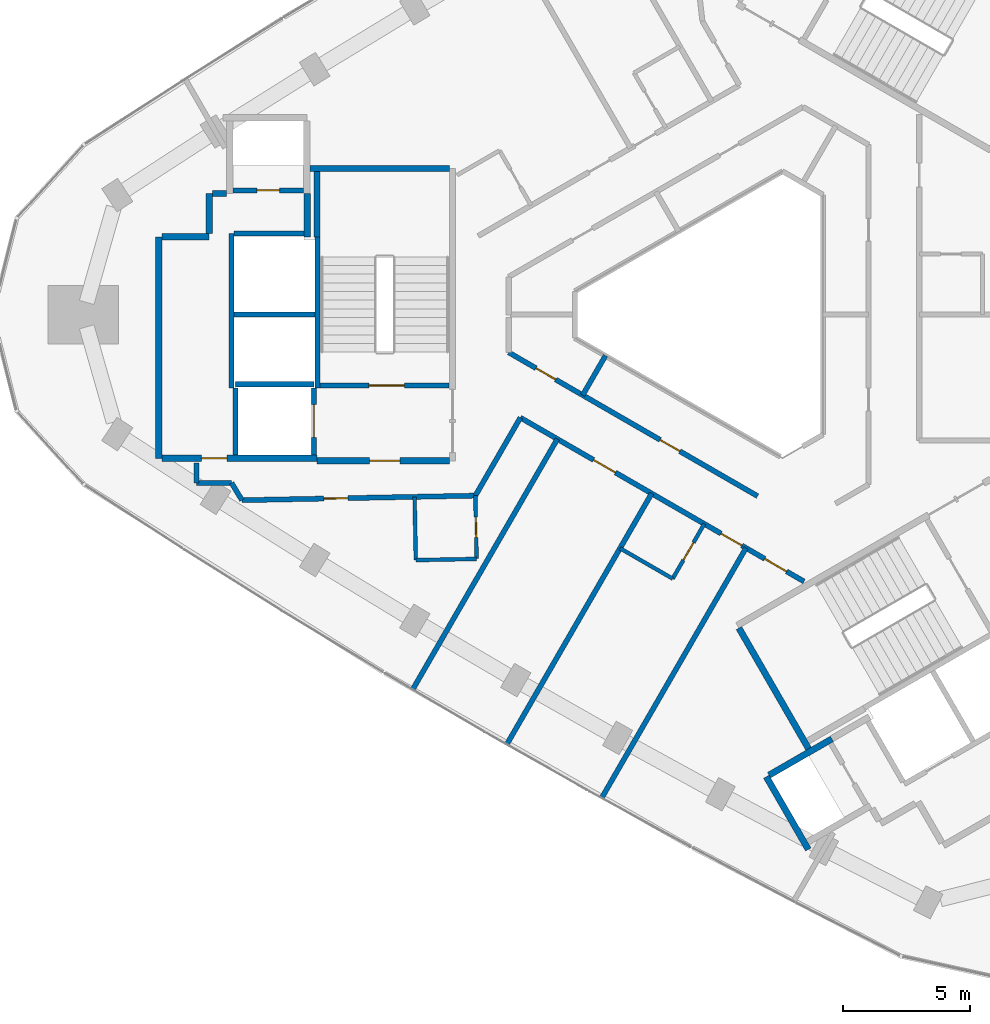
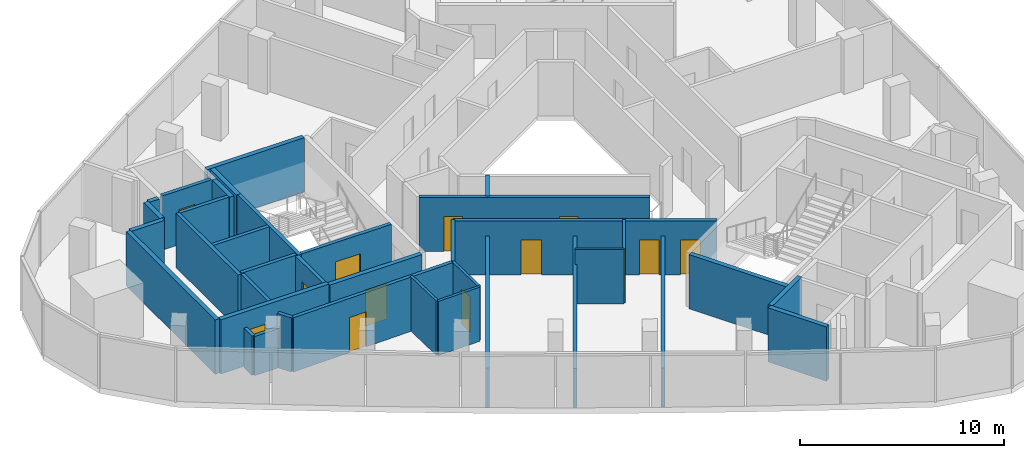
# One storey, part 7 of 11: 37 walls, 13 doors, 13 openings.
"""IFC4 building model written with IfcOpenShell, lengths in metres."""

from ifc_helpers import new_model, si_unit, direction, frame, frame_2d, origin, place, context, subcontext, project, spatial, rectangle, extrude, material, layer, layer_set, type_object, element, fill, save


model = new_model("IFC4")

# Units and contexts
model_context = context("Model", 3, precision=1e-05, world=origin(), true_north=direction((0.0, 1.0)))
body_context = subcontext(model_context, "Body", "Model", "MODEL_VIEW")
ifc_project = project(units=[si_unit("LENGTHUNIT", "METRE"), si_unit("AREAUNIT", "SQUARE_METRE"), si_unit("VOLUMEUNIT", "CUBIC_METRE"), si_unit("PLANEANGLEUNIT", "RADIAN"), si_unit("MASSUNIT", "GRAM", prefix="KILO")], contexts=[model_context])

# Site, building, storey
site_placement = place(None, origin())
site = spatial("IfcSite", under=ifc_project, at=site_placement, CompositionType="ELEMENT")
building_placement = place(site_placement, origin())
building = spatial("IfcBuilding", under=site, at=building_placement, Name="Tamra Quay Hotel Tower", CompositionType="ELEMENT")
storey_placement = place(building_placement, frame((0.0, 0.0, 235.800048828125)))
storey = spatial("IfcBuildingStorey", under=building, at=storey_placement, Name="L59", CompositionType="ELEMENT", Elevation=235.800048828125)

# Walls
ifc_material_1 = material(Name="Concrete M70", Category="concrete")
ifc_layer_1 = layer(ifc_material_1, 0.199951171875)
ifc_layer_set_1 = layer_set([ifc_layer_1], Name="Concrete M70 core wall 200")
wall_type_1 = type_object("IfcWallType", Name="Concrete M70 core wall 200", PredefinedType="SHEAR", material=ifc_layer_set_1)
wall_1_placement = place(storey_placement, frame((-16.162109375, 3.073974609375, 0.0), z_axis=(0.0, 0.0, 1.0), x_axis=(0.0, -1.0, 0.0)))
element("IfcWall", 1, at=wall_1_placement, inside=storey, type_object=wall_type_1, Name="CW2", PredefinedType="SHEAR", context=body_context, shape_type="SweptSolid", body=[
    extrude(rectangle(XDim=5.97412109375, YDim=0.199951171875, at=frame_2d((2.987060546875, 0.0))), origin(), (0.0, 0.0, 1.0), 3.25),
])
wall_2_placement = place(storey_placement, frame((-19.5625, -2.900146484375, 0.0), z_axis=(0.0, 0.0, 1.0), x_axis=(0.0, 1.0, 0.0)))
element("IfcWall", 2, at=wall_2_placement, inside=storey, type_object=wall_type_1, Name="CW2", PredefinedType="SHEAR", context=body_context, shape_type="SweptSolid", body=[
    extrude(rectangle(XDim=6.100341796875, YDim=0.199951171875, at=frame_2d((3.05029296875, 0.0))), origin(), (0.0, 0.0, 1.0), 3.25),
])

# Wall, opening, door
wall_3_placement = place(storey_placement, frame((-10.96337890625, -2.800048828125, 0.0), z_axis=(0.0, 0.0, 1.0), x_axis=(-1.0, 0.0, 0.0)))
wall_3 = element("IfcWall", 3, at=wall_3_placement, inside=storey, type_object=wall_type_1, Name="CW2", PredefinedType="SHEAR", context=body_context, shape_type="SweptSolid", body=[
    extrude(rectangle(XDim=5.097900390625, YDim=0.199951171875, at=frame_2d((2.548828125, 0.0))), origin(), (0.0, 0.0, 1.0), 3.25),
])
opening_1_placement = place(wall_3_placement, frame((1.77392578125, 0.0, 0.0)))
opening_1 = element("IfcOpeningElement", 4, at=opening_1_placement, cuts=wall_3, Name="Opening FD2", PredefinedType="OPENING", context=body_context, shape_type="SweptSolid", body=[
    extrude(rectangle(XDim=1.39990234375, YDim=2.10009765625, at=frame_2d((0.699951171875, 1.050048828125))), frame((0.0, 0.10986328125, 0.0), z_axis=(0.0, -1.0, 0.0), x_axis=(1.0, 0.0, 0.0)), (0.0, 0.0, 1.0), 0.219970703125),
])
ifc_material_2 = material(Name="Core door FD2 1400x2100 LH")
door_type_1 = type_object("IfcDoorType", Name="Core door FD2 1400x2100 LH", OperationType="NOTDEFINED", PredefinedType="DOOR", material=ifc_material_2)
door_1_placement = place(opening_1_placement, origin())
door_1 = element("IfcDoor", 5, at=door_1_placement, inside=storey, type_object=door_type_1, Name="FD2", OperationType="SINGLE_SWING_LEFT", OverallHeight=2.10009765625, OverallWidth=1.39990234375, PredefinedType="DOOR", context=body_context, shape_type="SweptSolid", body=[
    extrude(rectangle(XDim=1.39990234375, YDim=2.10009765625, at=frame_2d((0.699951171875, 1.050048828125))), frame((0.0, 0.02490234375, 0.0), z_axis=(0.0, -1.0, 0.0), x_axis=(1.0, 0.0, 0.0)), (0.0, 0.0, 1.0), 0.050048828125),
])
fill(opening_1, door_1)

# Wall
wall_4_placement = place(storey_placement, frame((-16.26318359375, 0.0, 0.0), z_axis=(0.0, 0.0, 1.0), x_axis=(-1.0, 0.0, 0.0)))
element("IfcWall", 6, at=wall_4_placement, inside=storey, type_object=wall_type_1, Name="CW2", PredefinedType="SHEAR", context=body_context, shape_type="SweptSolid", body=[
    extrude(rectangle(XDim=3.1982421875, YDim=0.199951171875, at=frame_2d((1.59912109375, 0.0))), origin(), (0.0, 0.0, 1.0), 3.25),
])

# Wall, opening, door
wall_5_placement = place(storey_placement, frame((-19.51123046875, 4.91015625, 0.0), z_axis=(0.0, 0.0, 1.0), x_axis=(1.0, 0.0, 0.0)))
wall_5 = element("IfcWall", 7, at=wall_5_placement, inside=storey, type_object=wall_type_1, Name="CW2", PredefinedType="SHEAR", context=body_context, shape_type="SweptSolid", body=[
    extrude(rectangle(XDim=2.7978515625, YDim=0.199951171875, at=frame_2d((1.39892578125, 0.0))), origin(), (0.0, 0.0, 1.0), 3.25),
])
opening_2_placement = place(wall_5_placement, frame((0.948974609375, 0.0, 0.0)))
opening_2 = element("IfcOpeningElement", 8, at=opening_2_placement, cuts=wall_5, Name="Opening D1", PredefinedType="OPENING", context=body_context, shape_type="SweptSolid", body=[
    extrude(rectangle(XDim=0.89990234375, YDim=2.10009765625, at=frame_2d((0.449951171875, 1.050048828125))), frame((0.0, 0.10986328125, 0.0), z_axis=(0.0, -1.0, 0.0), x_axis=(1.0, 0.0, 0.0)), (0.0, 0.0, 1.0), 0.219970703125),
])
ifc_material_3 = material(Name="Core door D1 900x2100 RH")
door_type_2 = type_object("IfcDoorType", Name="Core door D1 900x2100 RH", OperationType="NOTDEFINED", PredefinedType="DOOR", material=ifc_material_3)
door_2_placement = place(opening_2_placement, origin())
door_2 = element("IfcDoor", 9, at=door_2_placement, inside=storey, type_object=door_type_2, Name="D1", OperationType="SINGLE_SWING_RIGHT", OverallHeight=2.10009765625, OverallWidth=0.89990234375, PredefinedType="DOOR", context=body_context, shape_type="SweptSolid", body=[
    extrude(rectangle(XDim=0.89990234375, YDim=2.10009765625, at=frame_2d((0.449951171875, 1.050048828125))), frame((0.0, 0.02490234375, 0.0), z_axis=(0.0, -1.0, 0.0), x_axis=(1.0, 0.0, 0.0)), (0.0, 0.0, 1.0), 0.050048828125),
])
fill(opening_2, door_2)

# Walls
wall_6_placement = place(storey_placement, frame((-19.46240234375, 3.2001953125, 0.0), z_axis=(0.0, 0.0, 1.0), x_axis=(1.0, 0.0, 0.0)))
element("IfcWall", 10, at=wall_6_placement, inside=storey, type_object=wall_type_1, Name="CW2", PredefinedType="SHEAR", context=body_context, shape_type="SweptSolid", body=[
    extrude(rectangle(XDim=2.759033203125, YDim=0.199951171875, at=frame_2d((1.37939453125, 0.0))), origin(), (0.0, 0.0, 1.0), 3.25),
])
wall_7_placement = place(storey_placement, frame((-19.412353515625, -2.75, 0.0), z_axis=(0.0, 0.0, 1.0), x_axis=(1.0, 0.0, 0.0)))
element("IfcWall", 11, at=wall_7_placement, inside=storey, type_object=wall_type_1, Name="CW2", PredefinedType="SHEAR", context=body_context, shape_type="SweptSolid", body=[
    extrude(rectangle(XDim=3.10009765625, YDim=0.199951171875, at=frame_2d((1.550048828125, 0.0))), origin(), (0.0, 0.0, 1.0), 3.25),
])

# Wall, opening, door
wall_8_placement = place(storey_placement, frame((-16.312255859375, -2.898193359375, 0.0), z_axis=(0.0, 0.0, 1.0), x_axis=(0.0, -1.0, 0.0)))
wall_8 = element("IfcWall", 12, at=wall_8_placement, inside=storey, type_object=wall_type_1, Name="CW2", PredefinedType="SHEAR", context=body_context, shape_type="SweptSolid", body=[
    extrude(rectangle(XDim=2.65087890625, YDim=0.199951171875, at=frame_2d((1.325439453125, 0.0))), origin(), (0.0, 0.0, 1.0), 3.25),
])
opening_3_placement = place(wall_8_placement, frame((0.65185546875, 0.0, 0.0)))
opening_3 = element("IfcOpeningElement", 13, at=opening_3_placement, cuts=wall_8, Name="Opening LD", PredefinedType="OPENING", context=body_context, shape_type="SweptSolid", body=[
    extrude(rectangle(XDim=1.300048828125, YDim=2.10009765625, at=frame_2d((0.64990234375, 1.050048828125))), frame((0.0, 0.10986328125, 0.0), z_axis=(0.0, -1.0, 0.0), x_axis=(1.0, 0.0, 0.0)), (0.0, 0.0, 1.0), 0.219970703125),
])
ifc_material_4 = material(Name="Landing door LD 1300 sliding to left")
door_type_3 = type_object("IfcDoorType", Name="Landing door LD 1300 sliding to left", OperationType="NOTDEFINED", PredefinedType="DOOR", material=ifc_material_4)
door_3_placement = place(opening_3_placement, origin())
door_3 = element("IfcDoor", 14, at=door_3_placement, inside=storey, type_object=door_type_3, Name="LD", OperationType="SLIDING_TO_LEFT", OverallHeight=2.10009765625, OverallWidth=1.300048828125, PredefinedType="DOOR", context=body_context, shape_type="SweptSolid", body=[
    extrude(rectangle(XDim=1.300048828125, YDim=2.10009765625, at=frame_2d((0.64990234375, 1.050048828125))), frame((0.0, 0.02490234375, 0.0), z_axis=(0.0, -1.0, 0.0), x_axis=(1.0, 0.0, 0.0)), (0.0, 0.0, 1.0), 0.050048828125),
])
fill(opening_3, door_3)

# Walls
wall_9_placement = place(storey_placement, frame((-19.412353515625, -5.549072265625, 0.0), z_axis=(0.0, 0.0, 1.0), x_axis=(0.0, 1.0, 0.0)))
element("IfcWall", 15, at=wall_9_placement, inside=storey, type_object=wall_type_1, Name="CW2", PredefinedType="SHEAR", context=body_context, shape_type="SweptSolid", body=[
    extrude(rectangle(XDim=2.65087890625, YDim=0.199951171875, at=frame_2d((1.325439453125, 0.0))), origin(), (0.0, 0.0, 1.0), 3.25),
])
ifc_layer_2 = layer(ifc_material_1, 0.25)
ifc_layer_set_2 = layer_set([ifc_layer_2], Name="Concrete M70 core wall 250")
wall_type_2 = type_object("IfcWallType", Name="Concrete M70 core wall 250", PredefinedType="SHEAR", material=ifc_layer_set_2)
wall_10_placement = place(storey_placement, frame((-22.437255859375, -5.675048828125, 0.0), z_axis=(0.0, 0.0, 1.0), x_axis=(0.0, 1.0, 0.0)))
element("IfcWall", 16, at=wall_10_placement, inside=storey, type_object=wall_type_2, Name="CW1", PredefinedType="SHEAR", context=body_context, shape_type="SweptSolid", body=[
    extrude(rectangle(XDim=8.75, YDim=0.25, at=frame_2d((4.375, 0.0))), origin(), (0.0, 0.0, 1.0), 3.25),
])

# Wall, opening, door
wall_11_placement = place(storey_placement, frame((-16.187255859375, -5.675048828125, 0.0), z_axis=(0.0, 0.0, 1.0), x_axis=(-1.0, 0.0, 0.0)))
wall_11 = element("IfcWall", 17, at=wall_11_placement, inside=storey, type_object=wall_type_2, Name="CW1", PredefinedType="SHEAR", context=body_context, shape_type="SweptSolid", body=[
    extrude(rectangle(XDim=6.12451171875, YDim=0.25, at=frame_2d((3.062255859375, 0.0))), origin(), (0.0, 0.0, 1.0), 3.25),
])
opening_4_placement = place(wall_11_placement, frame((3.562744140625, 0.0, 0.0)))
opening_4 = element("IfcOpeningElement", 18, at=opening_4_placement, cuts=wall_11, Name="Opening FD3", PredefinedType="OPENING", context=body_context, shape_type="SweptSolid", body=[
    extrude(rectangle(XDim=1.0, YDim=2.10009765625, at=frame_2d((0.5, 1.050048828125))), frame((0.0, 0.135009765625, 0.0), z_axis=(0.0, -1.0, 0.0), x_axis=(1.0, 0.0, 0.0)), (0.0, 0.0, 1.0), 0.27001953125),
])
ifc_material_5 = material(Name="Core door FD3 1000x2100 LH")
door_type_4 = type_object("IfcDoorType", Name="Core door FD3 1000x2100 LH", OperationType="NOTDEFINED", PredefinedType="DOOR", material=ifc_material_5)
door_4_placement = place(opening_4_placement, origin())
door_4 = element("IfcDoor", 19, at=door_4_placement, inside=storey, type_object=door_type_4, Name="FD3", OperationType="SINGLE_SWING_LEFT", OverallHeight=2.10009765625, OverallWidth=1.0, PredefinedType="DOOR", context=body_context, shape_type="SweptSolid", body=[
    extrude(rectangle(XDim=1.0, YDim=2.10009765625, at=frame_2d((0.5, 1.050048828125))), frame((0.0, 0.02490234375, 0.0), z_axis=(0.0, -1.0, 0.0), x_axis=(1.0, 0.0, 0.0)), (0.0, 0.0, 1.0), 0.050048828125),
])
fill(opening_4, door_4)

wall_12_placement = place(storey_placement, frame((-10.962646484375, -5.77490234375, 0.0), z_axis=(0.0, 0.0, 1.0), x_axis=(-1.0, 0.0, 0.0)))
wall_12 = element("IfcWall", 20, at=wall_12_placement, inside=storey, type_object=wall_type_2, Name="CW1", PredefinedType="SHEAR", context=body_context, shape_type="SweptSolid", body=[
    extrude(rectangle(XDim=5.224609375, YDim=0.25, at=frame_2d((2.6123046875, 0.0))), origin(), (0.0, 0.0, 1.0), 3.25),
])
opening_5_placement = place(wall_12_placement, frame((1.94970703125, 0.0, 0.0)))
opening_5 = element("IfcOpeningElement", 21, at=opening_5_placement, cuts=wall_12, Name="Opening D2", PredefinedType="OPENING", context=body_context, shape_type="SweptSolid", body=[
    extrude(rectangle(XDim=1.199951171875, YDim=2.10009765625, at=frame_2d((0.60009765625, 1.050048828125))), frame((0.0, 0.135009765625, 0.0), z_axis=(0.0, -1.0, 0.0), x_axis=(1.0, 0.0, 0.0)), (0.0, 0.0, 1.0), 0.27001953125),
])
ifc_material_6 = material(Name="Core door D2 1200x2100 RH")
door_type_5 = type_object("IfcDoorType", Name="Core door D2 1200x2100 RH", OperationType="NOTDEFINED", PredefinedType="DOOR", material=ifc_material_6)
door_5_placement = place(opening_5_placement, origin())
door_5 = element("IfcDoor", 22, at=door_5_placement, inside=storey, type_object=door_type_5, Name="D2", OperationType="SINGLE_SWING_RIGHT", OverallHeight=2.10009765625, OverallWidth=1.199951171875, PredefinedType="DOOR", context=body_context, shape_type="SweptSolid", body=[
    extrude(rectangle(XDim=1.199951171875, YDim=2.10009765625, at=frame_2d((0.60009765625, 1.050048828125))), frame((0.0, 0.02490234375, 0.0), z_axis=(0.0, -1.0, 0.0), x_axis=(1.0, 0.0, 0.0)), (0.0, 0.0, 1.0), 0.050048828125),
])
fill(opening_5, door_5)

# Walls
wall_13_placement = place(storey_placement, frame((-16.47216796875, 5.77490234375, 0.0), z_axis=(0.0, 0.0, 1.0), x_axis=(1.0, 0.0, 0.0)))
element("IfcWall", 23, at=wall_13_placement, inside=storey, type_object=wall_type_2, Name="CW1", PredefinedType="SHEAR", context=body_context, shape_type="SweptSolid", body=[
    extrude(rectangle(XDim=5.509521484375, YDim=0.25, at=frame_2d((2.7548828125, 0.0))), origin(), (0.0, 0.0, 1.0), 3.25),
])
wall_14_placement = place(storey_placement, frame((-16.187255859375, 3.074951171875, 0.0), z_axis=(0.0, 0.0, 1.0), x_axis=(0.0, 1.0, 0.0)))
element("IfcWall", 24, at=wall_14_placement, inside=storey, type_object=wall_type_2, Name="CW1", PredefinedType="SHEAR", context=body_context, shape_type="SweptSolid", body=[
    extrude(rectangle(XDim=2.57470703125, YDim=0.25, at=frame_2d((1.287353515625, 0.0))), origin(), (0.0, 0.0, 1.0), 3.25),
])
wall_15_placement = place(storey_placement, frame((-22.311767578125, 3.074951171875, 0.0), z_axis=(0.0, 0.0, 1.0), x_axis=(1.0, 0.0, 0.0)))
element("IfcWall", 25, at=wall_15_placement, inside=storey, type_object=wall_type_2, Name="CW1", PredefinedType="SHEAR", context=body_context, shape_type="SweptSolid", body=[
    extrude(rectangle(XDim=1.864501953125, YDim=0.25, at=frame_2d((0.93212890625, 0.0))), origin(), (0.0, 0.0, 1.0), 3.25),
])
wall_16_placement = place(storey_placement, frame((-16.577392578125, 4.784912109375, 0.0), z_axis=(0.0, 0.0, 1.0), x_axis=(0.0, -1.0, 0.0)))
element("IfcWall", 26, at=wall_16_placement, inside=storey, type_object=wall_type_2, Name="CW1", PredefinedType="SHEAR", context=body_context, shape_type="SweptSolid", body=[
    extrude(rectangle(XDim=1.7099609375, YDim=0.25, at=frame_2d((0.85498046875, 0.0))), origin(), (0.0, 0.0, 1.0), 3.25),
])
wall_17_placement = place(storey_placement, frame((-20.447265625, 3.200439453125, 0.0), z_axis=(0.0, 0.0, 1.0), x_axis=(0.0, 1.0, 0.0)))
element("IfcWall", 27, at=wall_17_placement, inside=storey, type_object=wall_type_2, Name="CW1", PredefinedType="SHEAR", context=body_context, shape_type="SweptSolid", body=[
    extrude(rectangle(XDim=1.58447265625, YDim=0.25, at=frame_2d((0.792236328125, 0.0))), origin(), (0.0, 0.0, 1.0), 3.25),
])
wall_18_placement = place(storey_placement, frame((-20.32177734375, 4.784912109375, 0.0), z_axis=(0.0, 0.0, 1.0), x_axis=(1.0, 0.0, 0.0)))
element("IfcWall", 28, at=wall_18_placement, inside=storey, type_object=wall_type_2, Name="CW1", PredefinedType="SHEAR", context=body_context, shape_type="SweptSolid", body=[
    extrude(rectangle(XDim=0.55908203125, YDim=0.25, at=frame_2d((0.279541015625, 0.0))), origin(), (0.0, 0.0, 1.0), 3.25),
])
wall_19_placement = place(storey_placement, frame((3.23486328125, -17.15283203125, 0.0), z_axis=(0.0, 0.0, 1.0), x_axis=(-0.500008851346, 0.866020293397, 0.0)))
element("IfcWall", 29, at=wall_19_placement, inside=storey, type_object=wall_type_2, Name="CW1", PredefinedType="SHEAR", context=body_context, shape_type="SweptSolid", body=[
    extrude(rectangle(XDim=5.509765625, YDim=0.25, at=frame_2d((2.7548828125, 0.0))), origin(), (0.0, 0.0, 1.0), 3.25),
])
wall_20_placement = place(storey_placement, frame((3.216796875, -21.12158203125, 0.0), z_axis=(0.0, 0.0, 1.0), x_axis=(-0.499998874531, 0.866026053573, 0.0)))
element("IfcWall", 30, at=wall_20_placement, inside=storey, type_object=wall_type_2, Name="CW1", PredefinedType="SHEAR", context=body_context, shape_type="SweptSolid", body=[
    extrude(rectangle(XDim=3.31298828125, YDim=0.25, at=frame_2d((1.656494140625, 0.0))), origin(), (0.0, 0.0, 1.0), 3.25),
])
wall_21_placement = place(storey_placement, frame((1.6689453125, -18.189697265625, 0.0), z_axis=(0.0, 0.0, 1.0), x_axis=(0.866042235819, 0.499970844928, 0.0)))
element("IfcWall", 31, at=wall_21_placement, inside=storey, type_object=wall_type_2, Name="CW1", PredefinedType="SHEAR", context=body_context, shape_type="SweptSolid", body=[
    extrude(rectangle(XDim=2.864501953125, YDim=0.25, at=frame_2d((1.43212890625, 0.0))), origin(), (0.0, 0.0, 1.0), 3.25),
])
ifc_material_7 = material(Name="Partition corridor wall")
ifc_layer_3 = layer(ifc_material_7, 0.199951171875)
ifc_layer_set_3 = layer_set([ifc_layer_3], Name="Partition corridor wall")
wall_type_3 = type_object("IfcWallType", Name="Partition corridor wall", PredefinedType="PARTITIONING", material=ifc_layer_set_3)
wall_22_placement = place(storey_placement, frame((-20.949951171875, -6.64990234375, 0.0), z_axis=(0.0, 0.0, 1.0), x_axis=(0.0, 1.0, 0.0)))
element("IfcWall", 32, at=wall_22_placement, inside=storey, type_object=wall_type_3, Name="W-C", PredefinedType="PARTITIONING", context=body_context, shape_type="SweptSolid", body=[
    extrude(rectangle(XDim=0.789794921875, YDim=0.199951171875, at=frame_2d((0.39501953125, 0.0))), origin(), (0.0, 0.0, 1.0), 2.349853515625),
])
wall_23_placement = place(storey_placement, frame((-20.949951171875, -6.64990234375, 0.0), z_axis=(0.0, 0.0, 1.0), x_axis=(1.0, 0.0, 0.0)))
element("IfcWall", 33, at=wall_23_placement, inside=storey, type_object=wall_type_3, Name="W-C", PredefinedType="PARTITIONING", context=body_context, shape_type="SweptSolid", body=[
    extrude(rectangle(XDim=1.389892578125, YDim=0.199951171875, at=frame_2d((0.69482421875, 0.0))), origin(), (0.0, 0.0, 1.0), 2.349853515625),
])
wall_24_placement = place(storey_placement, frame((-19.56005859375, -6.64990234375, 0.0), z_axis=(0.0, 0.0, 1.0), x_axis=(0.517618709346, -0.855611402294, 0.0)))
element("IfcWall", 34, at=wall_24_placement, inside=storey, type_object=wall_type_3, Name="W-C", PredefinedType="PARTITIONING", context=body_context, shape_type="SweptSolid", body=[
    extrude(rectangle(XDim=0.79248046875, YDim=0.199951171875, at=frame_2d((0.396240234375, 0.0))), origin(), (0.0, 0.0, 1.0), 3.25),
])

# Wall, opening, door
wall_25_placement = place(storey_placement, frame((-19.14892578125, -7.3291015625, 0.0), z_axis=(0.0, 0.0, 1.0), x_axis=(0.999810023919, 0.019491435849, 0.0)))
wall_25 = element("IfcWall", 35, at=wall_25_placement, inside=storey, type_object=wall_type_3, Name="W-C", PredefinedType="PARTITIONING", context=body_context, shape_type="SweptSolid", body=[
    extrude(rectangle(XDim=9.21875, YDim=0.199951171875, at=frame_2d((4.609375, 0.0))), origin(), (0.0, 0.0, 1.0), 3.25),
])
opening_6_placement = place(wall_25_placement, frame((3.230224609375, 0.0, 0.0)))
opening_6 = element("IfcOpeningElement", 36, at=opening_6_placement, cuts=wall_25, Name="Opening L59-D007", PredefinedType="OPENING", context=body_context, shape_type="SweptSolid", body=[
    extrude(rectangle(XDim=0.949951171875, YDim=2.10009765625, at=frame_2d((0.47509765625, 1.050048828125))), frame((0.0, 0.10986328125, 0.0), z_axis=(0.0, -1.0, 0.0), x_axis=(1.0, 0.0, 0.0)), (0.0, 0.0, 1.0), 0.219970703125),
])
ifc_material_8 = material(Name="Door guest room 950x2100")
door_type_6 = type_object("IfcDoorType", Name="Door guest room 950x2100", OperationType="NOTDEFINED", PredefinedType="DOOR", material=ifc_material_8)
door_6_placement = place(opening_6_placement, origin())
door_6 = element("IfcDoor", 37, at=door_6_placement, inside=storey, type_object=door_type_6, Name="L59-D007", OperationType="SINGLE_SWING_LEFT", OverallHeight=2.10009765625, OverallWidth=0.949951171875, PredefinedType="DOOR", context=body_context, shape_type="SweptSolid", body=[
    extrude(rectangle(XDim=0.949951171875, YDim=2.10009765625, at=frame_2d((0.47509765625, 1.050048828125))), frame((0.0, 0.02490234375, 0.0), z_axis=(0.0, -1.0, 0.0), x_axis=(1.0, 0.0, 0.0)), (0.0, 0.0, 1.0), 0.050048828125),
])
fill(opening_6, door_6)

# Wall
wall_26_placement = place(storey_placement, frame((-9.930908203125, -7.14892578125, 0.0), z_axis=(0.0, 0.0, 1.0), x_axis=(0.499934418432, 0.86606326401, 0.0)))
element("IfcWall", 38, at=wall_26_placement, inside=storey, type_object=wall_type_3, Name="W-C", PredefinedType="PARTITIONING", context=body_context, shape_type="SweptSolid", body=[
    extrude(rectangle(XDim=3.55615234375, YDim=0.199951171875, at=frame_2d((1.778076171875, 0.0))), origin(), (0.0, 0.0, 1.0), 3.25),
])

# Wall, openings, doors
wall_27_placement = place(storey_placement, frame((-8.612060546875, -1.493896484375, 0.0), z_axis=(0.0, 0.0, 1.0), x_axis=(0.866035468681, -0.499982566683, 0.0)))
wall_27 = element("IfcWall", 39, at=wall_27_placement, inside=storey, type_object=wall_type_3, Name="W-C", PredefinedType="PARTITIONING", context=body_context, shape_type="SweptSolid", body=[
    extrude(rectangle(XDim=11.34765625, YDim=0.199951171875, at=frame_2d((5.673828125, 0.0))), origin(), (0.0, 0.0, 1.0), 3.25),
])
opening_7_placement = place(wall_27_placement, frame((1.240966796875, 0.0, 0.0)))
opening_7 = element("IfcOpeningElement", 40, at=opening_7_placement, cuts=wall_27, Name="Opening L59-D021", PredefinedType="OPENING", context=body_context, shape_type="SweptSolid", body=[
    extrude(rectangle(XDim=0.89990234375, YDim=2.10009765625, at=frame_2d((0.449951171875, 1.050048828125))), frame((0.0, 0.10986328125, 0.0), z_axis=(0.0, -1.0, 0.0), x_axis=(1.0, 0.0, 0.0)), (0.0, 0.0, 1.0), 0.219970703125),
])
opening_8_placement = place(wall_27_placement, frame((6.903076171875, 0.0, 0.0)))
opening_8 = element("IfcOpeningElement", 41, at=opening_8_placement, cuts=wall_27, Name="Opening L59-D022", PredefinedType="OPENING", context=body_context, shape_type="SweptSolid", body=[
    extrude(rectangle(XDim=0.89990234375, YDim=2.10009765625, at=frame_2d((0.449951171875, 1.050048828125))), frame((0.0, 0.10986328125, 0.0), z_axis=(0.0, -1.0, 0.0), x_axis=(1.0, 0.0, 0.0)), (0.0, 0.0, 1.0), 0.219970703125),
])
ifc_material_9 = material(Name="Door service room 900x2100")
door_type_7 = type_object("IfcDoorType", Name="Door service room 900x2100", OperationType="NOTDEFINED", PredefinedType="DOOR", material=ifc_material_9)
door_7_placement = place(opening_7_placement, origin())
door_7 = element("IfcDoor", 42, at=door_7_placement, inside=storey, type_object=door_type_7, Name="L59-D021", OperationType="SINGLE_SWING_LEFT", OverallHeight=2.10009765625, OverallWidth=0.89990234375, PredefinedType="DOOR", context=body_context, shape_type="SweptSolid", body=[
    extrude(rectangle(XDim=0.89990234375, YDim=2.10009765625, at=frame_2d((0.449951171875, 1.050048828125))), frame((0.0, 0.02490234375, 0.0), z_axis=(0.0, -1.0, 0.0), x_axis=(1.0, 0.0, 0.0)), (0.0, 0.0, 1.0), 0.050048828125),
])
fill(opening_7, door_7)
door_8_placement = place(opening_8_placement, origin())
door_8 = element("IfcDoor", 43, at=door_8_placement, inside=storey, type_object=door_type_7, Name="L59-D022", OperationType="SINGLE_SWING_LEFT", OverallHeight=2.10009765625, OverallWidth=0.89990234375, PredefinedType="DOOR", context=body_context, shape_type="SweptSolid", body=[
    extrude(rectangle(XDim=0.89990234375, YDim=2.10009765625, at=frame_2d((0.449951171875, 1.050048828125))), frame((0.0, 0.02490234375, 0.0), z_axis=(0.0, -1.0, 0.0), x_axis=(1.0, 0.0, 0.0)), (0.0, 0.0, 1.0), 0.050048828125),
])
fill(opening_8, door_8)

wall_28_placement = place(storey_placement, frame((-8.153076171875, -4.069091796875, 0.0), z_axis=(0.0, 0.0, 1.0), x_axis=(0.865955522833, -0.500121017829, 0.0)))
wall_28 = element("IfcWall", 44, at=wall_28_placement, inside=storey, type_object=wall_type_3, Name="W-C", PredefinedType="PARTITIONING", context=body_context, shape_type="SweptSolid", body=[
    extrude(rectangle(XDim=12.937255859375, YDim=0.199951171875, at=frame_2d((6.46875, 0.0))), origin(), (0.0, 0.0, 1.0), 3.25),
])
opening_9_placement = place(wall_28_placement, frame((3.337158203125, 0.0, 0.0)))
opening_9 = element("IfcOpeningElement", 45, at=opening_9_placement, cuts=wall_28, Name="Opening L59-D009", PredefinedType="OPENING", context=body_context, shape_type="SweptSolid", body=[
    extrude(rectangle(XDim=1.0, YDim=2.10009765625, at=frame_2d((0.5, 1.050048828125))), frame((0.0, 0.10986328125, 0.0), z_axis=(0.0, -1.0, 0.0), x_axis=(1.0, 0.0, 0.0)), (0.0, 0.0, 1.0), 0.219970703125),
])
opening_10_placement = place(wall_28_placement, frame((9.153076171875, 0.0, 0.0)))
opening_10 = element("IfcOpeningElement", 46, at=opening_10_placement, cuts=wall_28, Name="Opening L59-D010", PredefinedType="OPENING", context=body_context, shape_type="SweptSolid", body=[
    extrude(rectangle(XDim=0.949951171875, YDim=2.10009765625, at=frame_2d((0.47509765625, 1.050048828125))), frame((0.0, 0.10986328125, 0.0), z_axis=(0.0, -1.0, 0.0), x_axis=(1.0, 0.0, 0.0)), (0.0, 0.0, 1.0), 0.219970703125),
])
opening_11_placement = place(wall_28_placement, frame((11.1435546875, 0.0, 0.0)))
opening_11 = element("IfcOpeningElement", 47, at=opening_11_placement, cuts=wall_28, Name="Opening L59-D012", PredefinedType="OPENING", context=body_context, shape_type="SweptSolid", body=[
    extrude(rectangle(XDim=1.0, YDim=2.10009765625, at=frame_2d((0.5, 1.050048828125))), frame((0.0, 0.10986328125, 0.0), z_axis=(0.0, -1.0, 0.0), x_axis=(1.0, 0.0, 0.0)), (0.0, 0.0, 1.0), 0.219970703125),
])
ifc_material_10 = material(Name="Door guest room 1000x2100")
door_type_8 = type_object("IfcDoorType", Name="Door guest room 1000x2100", OperationType="NOTDEFINED", PredefinedType="DOOR", material=ifc_material_10)
door_9_placement = place(opening_9_placement, frame((1.0, 0.0, 0.0), z_axis=(0.0, 0.0, 1.0), x_axis=(-1.0, 0.0, 0.0)))
door_9 = element("IfcDoor", 48, at=door_9_placement, inside=storey, type_object=door_type_8, Name="L59-D009", OperationType="SINGLE_SWING_LEFT", OverallHeight=2.10009765625, OverallWidth=1.0, PredefinedType="DOOR", context=body_context, shape_type="SweptSolid", body=[
    extrude(rectangle(XDim=1.0, YDim=2.10009765625, at=frame_2d((0.5, 1.050048828125))), frame((0.0, 0.02490234375, 0.0), z_axis=(0.0, -1.0, 0.0), x_axis=(1.0, 0.0, 0.0)), (0.0, 0.0, 1.0), 0.050048828125),
])
fill(opening_9, door_9)
door_10_placement = place(opening_11_placement, frame((1.0, 0.0, 0.0), z_axis=(0.0, 0.0, 1.0), x_axis=(-1.0, 0.0, 0.0)))
door_10 = element("IfcDoor", 49, at=door_10_placement, inside=storey, type_object=door_type_8, Name="L59-D012", OperationType="SINGLE_SWING_LEFT", OverallHeight=2.10009765625, OverallWidth=1.0, PredefinedType="DOOR", context=body_context, shape_type="SweptSolid", body=[
    extrude(rectangle(XDim=1.0, YDim=2.10009765625, at=frame_2d((0.5, 1.050048828125))), frame((0.0, 0.02490234375, 0.0), z_axis=(0.0, -1.0, 0.0), x_axis=(1.0, 0.0, 0.0)), (0.0, 0.0, 1.0), 0.050048828125),
])
fill(opening_11, door_10)
door_11_placement = place(opening_10_placement, frame((0.949951171875, 0.0, 0.0), z_axis=(0.0, 0.0, 1.0), x_axis=(-1.0, 0.0, 0.0)))
door_11 = element("IfcDoor", 50, at=door_11_placement, inside=storey, type_object=door_type_6, Name="L59-D010", OperationType="SINGLE_SWING_LEFT", OverallHeight=2.10009765625, OverallWidth=0.949951171875, PredefinedType="DOOR", context=body_context, shape_type="SweptSolid", body=[
    extrude(rectangle(XDim=0.949951171875, YDim=2.10009765625, at=frame_2d((0.47509765625, 1.050048828125))), frame((0.0, 0.02490234375, 0.0), z_axis=(0.0, -1.0, 0.0), x_axis=(1.0, 0.0, 0.0)), (0.0, 0.0, 1.0), 0.050048828125),
])
fill(opening_10, door_11)

# Walls
ifc_material_11 = material(Name="Partition en-suite wall")
ifc_layer_4 = layer(ifc_material_11, 0.14990234375)
ifc_layer_set_4 = layer_set([ifc_layer_4], Name="Partition en-suite wall")
wall_type_4 = type_object("IfcWallType", Name="Partition en-suite wall", PredefinedType="PARTITIONING", material=ifc_layer_set_4)
wall_29_placement = place(storey_placement, frame((-12.33203125, -7.197021484375, 0.0), z_axis=(0.0, 0.0, 1.0), x_axis=(0.019719450113, -0.999805552739, 0.0)))
element("IfcWall", 51, at=wall_29_placement, inside=storey, type_object=wall_type_4, Name="W-E", PredefinedType="PARTITIONING", context=body_context, shape_type="SweptSolid", body=[
    extrude(rectangle(XDim=2.488525390625, YDim=0.14990234375, at=frame_2d((1.244140625, 0.0))), origin(), (0.0, 0.0, 1.0), 3.25),
])
wall_30_placement = place(storey_placement, frame((-12.27294921875, -9.695068359375, 0.0), z_axis=(0.0, 0.0, 1.0), x_axis=(0.999812094216, 0.019384949303, 0.0)))
element("IfcWall", 52, at=wall_30_placement, inside=storey, type_object=wall_type_4, Name="W-E", PredefinedType="PARTITIONING", context=body_context, shape_type="SweptSolid", body=[
    extrude(rectangle(XDim=2.38037109375, YDim=0.14990234375, at=frame_2d((1.190185546875, 0.0))), origin(), (0.0, 0.0, 1.0), 3.25),
])

# Wall, opening, door
wall_31_placement = place(storey_placement, frame((-9.931884765625, -7.15087890625, 0.0), z_axis=(0.0, 0.0, 1.0), x_axis=(0.019621381261, -0.999807482167, 0.0)))
wall_31 = element("IfcWall", 53, at=wall_31_placement, inside=storey, type_object=wall_type_4, Name="W-E", PredefinedType="PARTITIONING", context=body_context, shape_type="SweptSolid", body=[
    extrude(rectangle(XDim=2.488525390625, YDim=0.14990234375, at=frame_2d((1.244140625, 0.0))), origin(), (0.0, 0.0, 1.0), 3.25),
])
opening_12_placement = place(wall_31_placement, frame((0.847900390625, 0.0, 0.0)))
opening_12 = element("IfcOpeningElement", 54, at=opening_12_placement, cuts=wall_31, Name="Opening L59-D008", PredefinedType="OPENING", context=body_context, shape_type="SweptSolid", body=[
    extrude(rectangle(XDim=0.800048828125, YDim=2.10009765625, at=frame_2d((0.39990234375, 1.050048828125))), frame((0.0, 0.0849609375, 0.0), z_axis=(0.0, -1.0, 0.0), x_axis=(1.0, 0.0, 0.0)), (0.0, 0.0, 1.0), 0.169921875),
])
ifc_material_12 = material(Name="Door en-suite 800x2100")
door_type_9 = type_object("IfcDoorType", Name="Door en-suite 800x2100", OperationType="NOTDEFINED", PredefinedType="DOOR", material=ifc_material_12)
door_12_placement = place(opening_12_placement, frame((0.800048828125, 0.0, 0.0), z_axis=(0.0, 0.0, 1.0), x_axis=(-1.0, 0.0, 0.0)))
door_12 = element("IfcDoor", 55, at=door_12_placement, inside=storey, type_object=door_type_9, Name="L59-D008", OperationType="SINGLE_SWING_LEFT", OverallHeight=2.10009765625, OverallWidth=0.800048828125, PredefinedType="DOOR", context=body_context, shape_type="SweptSolid", body=[
    extrude(rectangle(XDim=0.800048828125, YDim=2.10009765625, at=frame_2d((0.39990234375, 1.050048828125))), frame((0.0, 0.02490234375, 0.0), z_axis=(0.0, -1.0, 0.0), x_axis=(1.0, 0.0, 0.0)), (0.0, 0.0, 1.0), 0.050048828125),
])
fill(opening_12, door_12)

# Wall
wall_32_placement = place(storey_placement, frame((-4.217041015625, -9.22802734375, 0.0), z_axis=(0.0, 0.0, 1.0), x_axis=(0.866100915363, -0.499869187296, 0.0)))
element("IfcWall", 56, at=wall_32_placement, inside=storey, type_object=wall_type_4, Name="W-E", PredefinedType="PARTITIONING", context=body_context, shape_type="SweptSolid", body=[
    extrude(rectangle(XDim=2.400634765625, YDim=0.14990234375, at=frame_2d((1.2001953125, 0.0))), origin(), (0.0, 0.0, 1.0), 3.25),
])

# Wall, opening, door
wall_33_placement = place(storey_placement, frame((-2.137939453125, -10.427978515625, 0.0), z_axis=(0.0, 0.0, 1.0), x_axis=(0.500004234368, 0.866022959057, 0.0)))
wall_33 = element("IfcWall", 57, at=wall_33_placement, inside=storey, type_object=wall_type_4, Name="W-E", PredefinedType="PARTITIONING", context=body_context, shape_type="SweptSolid", body=[
    extrude(rectangle(XDim=2.5, YDim=0.14990234375, at=frame_2d((1.25, 0.0))), origin(), (0.0, 0.0, 1.0), 3.25),
])
opening_13_placement = place(wall_33_placement, frame((0.85009765625, 0.0, 0.0)))
opening_13 = element("IfcOpeningElement", 58, at=opening_13_placement, cuts=wall_33, Name="Opening L59-D011", PredefinedType="OPENING", context=body_context, shape_type="SweptSolid", body=[
    extrude(rectangle(XDim=0.800048828125, YDim=2.10009765625, at=frame_2d((0.39990234375, 1.050048828125))), frame((0.0, 0.0849609375, 0.0), z_axis=(0.0, -1.0, 0.0), x_axis=(1.0, 0.0, 0.0)), (0.0, 0.0, 1.0), 0.169921875),
])
door_13_placement = place(opening_13_placement, origin())
door_13 = element("IfcDoor", 59, at=door_13_placement, inside=storey, type_object=door_type_9, Name="L59-D011", OperationType="SINGLE_SWING_LEFT", OverallHeight=2.10009765625, OverallWidth=0.800048828125, PredefinedType="DOOR", context=body_context, shape_type="SweptSolid", body=[
    extrude(rectangle(XDim=0.800048828125, YDim=2.10009765625, at=frame_2d((0.39990234375, 1.050048828125))), frame((0.0, 0.02490234375, 0.0), z_axis=(0.0, -1.0, 0.0), x_axis=(1.0, 0.0, 0.0)), (0.0, 0.0, 1.0), 0.050048828125),
])
fill(opening_13, door_13)

# Walls
ifc_material_13 = material(Name="Partition party wall")
ifc_layer_5 = layer(ifc_material_13, 0.199951171875)
ifc_layer_set_5 = layer_set([ifc_layer_5], Name="Partition party wall")
wall_type_5 = type_object("IfcWallType", Name="Partition party wall", PredefinedType="PARTITIONING", material=ifc_layer_set_5)
wall_34_placement = place(storey_placement, frame((-12.40673828125, -14.805908203125, 0.0), z_axis=(0.0, 0.0, 1.0), x_axis=(0.500104175471, 0.865965249693, 0.0)))
element("IfcWall", 60, at=wall_34_placement, inside=storey, type_object=wall_type_5, Name="W-P", PredefinedType="PARTITIONING", context=body_context, shape_type="SweptSolid", body=[
    extrude(rectangle(XDim=11.4228515625, YDim=0.199951171875, at=frame_2d((5.71142578125, 0.0))), origin(), (0.0, 0.0, 1.0), 2.349853515625),
])
wall_35_placement = place(storey_placement, frame((-8.6884765625, -16.97265625, 0.0), z_axis=(0.0, 0.0, 1.0), x_axis=(0.500021643343, 0.866012907634, 0.0)))
element("IfcWall", 61, at=wall_35_placement, inside=storey, type_object=wall_type_5, Name="W-P", PredefinedType="PARTITIONING", context=body_context, shape_type="SweptSolid", body=[
    extrude(rectangle(XDim=11.44287109375, YDim=0.199951171875, at=frame_2d((5.721435546875, 0.0))), origin(), (0.0, 0.0, 1.0), 2.349853515625),
])
wall_36_placement = place(storey_placement, frame((-5.6923828125, -3.179443359375, 0.0), z_axis=(0.0, 0.0, 1.0), x_axis=(0.500164619231, 0.865930339964, 0.0)))
element("IfcWall", 62, at=wall_36_placement, inside=storey, type_object=wall_type_5, Name="W-P", PredefinedType="PARTITIONING", context=body_context, shape_type="SweptSolid", body=[
    extrude(rectangle(XDim=1.80029296875, YDim=0.199951171875, at=frame_2d((0.900146484375, 0.0))), origin(), (0.0, 0.0, 1.0), 3.25),
])
wall_37_placement = place(storey_placement, frame((-4.941650390625, -19.089111328125, 0.0), z_axis=(0.0, 0.0, 1.0), x_axis=(0.500021458202, 0.866013014531, 0.0)))
element("IfcWall", 63, at=wall_37_placement, inside=storey, type_object=wall_type_5, Name="W-P", PredefinedType="PARTITIONING", context=body_context, shape_type="SweptSolid", body=[
    extrude(rectangle(XDim=11.40283203125, YDim=0.199951171875, at=frame_2d((5.701416015625, 0.0))), origin(), (0.0, 0.0, 1.0), 2.349853515625),
])

save(model, "model.ifc")
